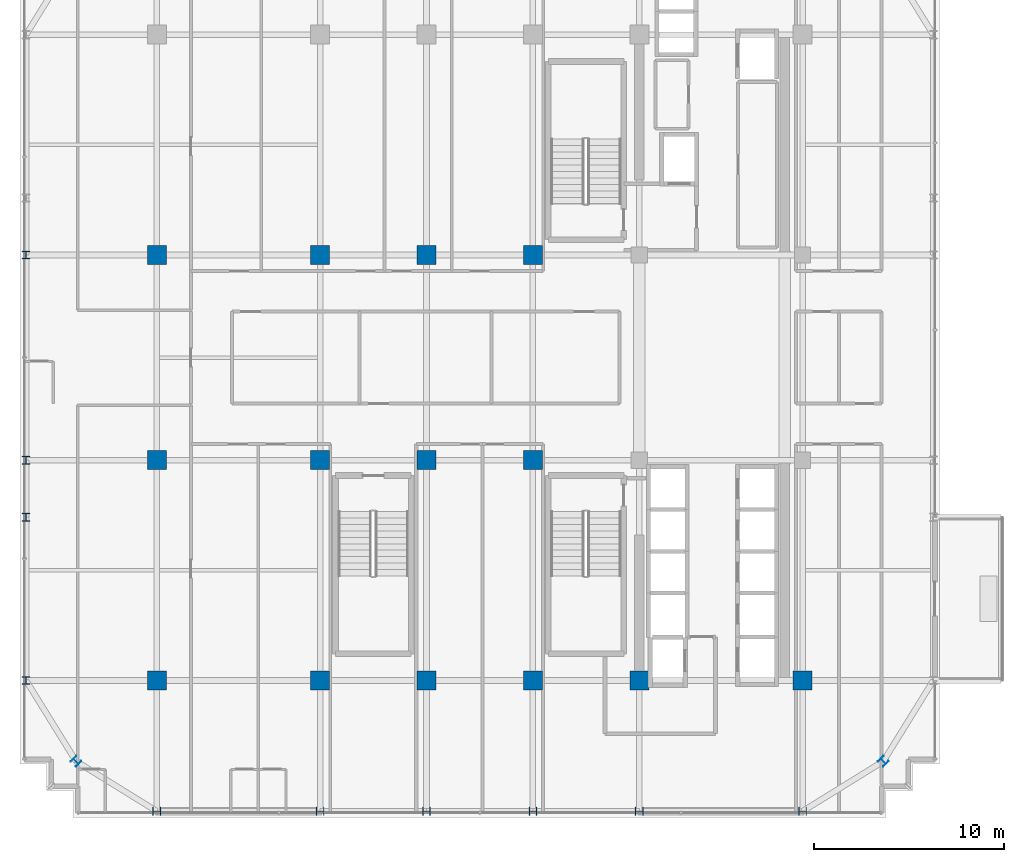
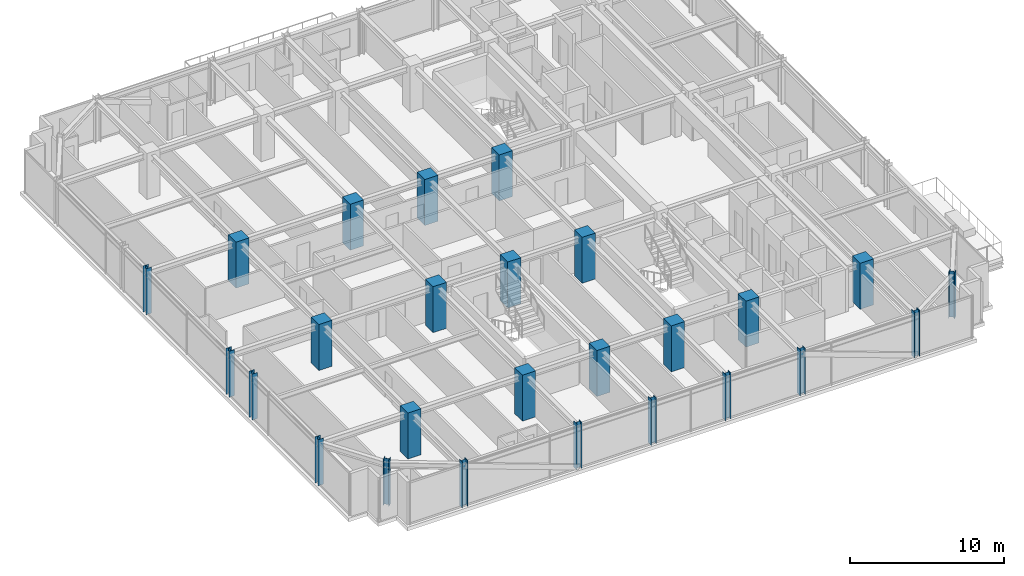
# One storey, part 1 of 43: 26 columns.
"""IFC4 building model written with IfcOpenShell, lengths in metres."""

from ifc_helpers import new_model, si_unit, direction, frame, origin, origin_2d, place, context, subcontext, project, spatial, rectangle, i_section, extrude, source, transform, mapped, material, material_profile, profile_set, type_object, element, save


model = new_model("IFC4")

# Units and contexts
model_context = context("Model", 3, precision=1e-05, world=origin(), true_north=direction((0.0, 1.0)))
body_context = subcontext(model_context, "Body", "Model", "MODEL_VIEW")
ifc_project = project(units=[si_unit("LENGTHUNIT", "METRE"), si_unit("AREAUNIT", "SQUARE_METRE"), si_unit("VOLUMEUNIT", "CUBIC_METRE"), si_unit("PLANEANGLEUNIT", "RADIAN"), si_unit("MASSUNIT", "GRAM", prefix="KILO")], contexts=[model_context])

# Site, building, storey
site_placement = place(None, origin())
site = spatial("IfcSite", under=ifc_project, at=site_placement, CompositionType="ELEMENT")
building_placement = place(site_placement, origin())
building = spatial("IfcBuilding", under=site, at=building_placement, Name="Nahalor Promenade Grand Hotel", CompositionType="ELEMENT")
storey_placement = place(building_placement, frame((0.0, 0.0, 204.89990234375)))
storey = spatial("IfcBuildingStorey", under=building, at=storey_placement, Name="L52", CompositionType="ELEMENT", Elevation=204.89990234375)

# Columns
ifc_material_1 = material(Name="Concrete B-60 (C50/60)", Category="concrete")
ifc_material_profile_1 = material_profile(ifc_material_1, rectangle(XDim=1.0, YDim=1.0, at=origin_2d()), Name="RC 1000x1000")
ifc_profile_set_1 = profile_set([ifc_material_profile_1], Name="Concrete B-60 (C50/60)")
column_type_1 = type_object("IfcColumnType", Name="Col-RC-1000", PredefinedType="COLUMN", material=ifc_profile_set_1)
shared_shape_1 = source(origin(), body_context, "Body", "SweptSolid", [
    extrude(rectangle(XDim=1.0, YDim=1.0, at=origin_2d()), origin(), (0.0, 0.0, 1.0), 3.655029296875),
])
for number, where, z_axis, x_axis, name in (
    (1, (-17.0, -17.0, 0.0), (0.0, 0.0, 1.0), (1.0, 0.0, 0.0), "COL-L52-I00"),
    (2, (-17.0, -5.39990234375, 0.0), (0.0, 0.0, 1.0), (1.0, 0.0, 0.0), "COL-L52-I01"),
    (3, (-17.0, 5.39990234375, 0.0), (0.0, 0.0, 1.0), (1.0, 0.0, 0.0), "COL-L52-I02"),
    (4, (-8.39990234375, -17.0, 0.0), (0.0, 0.0, 1.0), (1.0, 0.0, 0.0), "COL-L52-I10"),
    (5, (-8.39990234375, -5.39990234375, 0.0), (0.0, 0.0, 1.0), (1.0, 0.0, 0.0), "COL-L52-I11"),
    (6, (-8.39990234375, 5.39990234375, 0.0), (0.0, 0.0, 1.0), (1.0, 0.0, 0.0), "COL-L52-I12"),
    (7, (-2.800048828125, -17.0, 0.0), (0.0, 0.0, 1.0), (1.0, 0.0, 0.0), "COL-L52-I20"),
    (8, (-2.800048828125, -5.39990234375, 0.0), (0.0, 0.0, 1.0), (1.0, 0.0, 0.0), "COL-L52-I21"),
    (9, (-2.800048828125, 5.39990234375, 0.0), (0.0, 0.0, 1.0), (1.0, 0.0, 0.0), "COL-L52-I22"),
    (10, (2.800048828125, -17.0, 0.0), (0.0, 0.0, 1.0), (1.0, 0.0, 0.0), "COL-L52-I30"),
    (11, (2.800048828125, -5.39990234375, 0.0), (0.0, 0.0, 1.0), (1.0, 0.0, 0.0), "COL-L52-I31"),
    (12, (2.800048828125, 5.39990234375, 0.0), (0.0, 0.0, 1.0), (1.0, 0.0, 0.0), "COL-L52-I32"),
    (13, (8.39990234375, -17.0, 0.0), (0.0, 0.0, 1.0), (1.0, 0.0, 0.0), "COL-L52-I40"),
    (14, (17.0, -17.0, 0.0), (0.0, 0.0, 1.0), (1.0, 0.0, 0.0), "COL-L52-I50"),
):
    element("IfcColumn", number, at=place(storey_placement, frame(where, z_axis=z_axis, x_axis=x_axis)), inside=storey, type_object=column_type_1, Name=name, PredefinedType="COLUMN", context=body_context, shape_type="MappedRepresentation", body=[
        mapped(shared_shape_1, transform((0.0, 0.0, 0.0), scale=1.0)),
    ])
ifc_material_2 = material(Name="Steel S355JR", Category="steel")
ifc_material_profile_2 = material_profile(ifc_material_2, i_section(OverallWidth=0.401, OverallDepth=0.406, WebThickness=0.0161, FlangeThickness=0.025, at=origin_2d()), Name="HD 400x314")
ifc_profile_set_2 = profile_set([ifc_material_profile_2], Name="Steel S355JR")
column_type_2 = type_object("IfcColumnType", Name="Col-Steel-HD314", PredefinedType="COLUMN", material=ifc_profile_set_2)
shared_shape_2 = source(origin(), body_context, "Body", "SweptSolid", [
    extrude(i_section(OverallWidth=0.401, OverallDepth=0.406, WebThickness=0.0161, FlangeThickness=0.025, at=origin_2d()), origin(), (0.0, 0.0, 1.0), 3.655029296875),
])
for number, where, z_axis, x_axis, name in (
    (15, (-23.8798828125, -17.0, 0.0), (0.0, 0.0, 1.0), (1.0, 0.0, 0.0), "COL-L52-PW-W0"),
    (16, (-23.8798828125, -8.39990234375, 0.0), (0.0, 0.0, 1.0), (1.0, 0.0, 0.0), "COL-L52-PW-W1"),
    (17, (-23.8798828125, -5.39990234375, 0.0), (0.0, 0.0, 1.0), (1.0, 0.0, 0.0), "COL-L52-PW-W2"),
    (18, (-23.8798828125, 5.39990234375, 0.0), (0.0, 0.0, 1.0), (1.0, 0.0, 0.0), "COL-L52-PW-W3"),
    (19, (-17.0, -23.8798828125, 0.0), (0.0, 0.0, 1.0), (0.0, 1.0, 0.0), "COL-L52-PN-S0"),
    (20, (-8.39990234375, -23.8798828125, 0.0), (0.0, 0.0, 1.0), (0.0, 1.0, 0.0), "COL-L52-PN-S1"),
    (21, (-2.800048828125, -23.8798828125, 0.0), (0.0, 0.0, 1.0), (0.0, 1.0, 0.0), "COL-L52-PN-S2"),
    (22, (2.800048828125, -23.8798828125, 0.0), (0.0, 0.0, 1.0), (0.0, 1.0, 0.0), "COL-L52-PN-S3"),
    (23, (8.39990234375, -23.8798828125, 0.0), (0.0, 0.0, 1.0), (0.0, 1.0, 0.0), "COL-L52-PN-S4"),
    (24, (17.0, -23.8798828125, 0.0), (0.0, 0.0, 1.0), (0.0, 1.0, 0.0), "COL-L52-PN-S5"),
    (25, (-21.25, -21.25, 0.0), (0.0, 0.0, 1.0), (0.707106781187, 0.707106781187, 0.0), "COL-L52-CRN-SW"),
    (26, (21.25, -21.25, 0.0), (0.0, 0.0, 1.0), (0.707106781187, 0.707106781187, 0.0), "COL-L52-CRN-SE"),
):
    element("IfcColumn", number, at=place(storey_placement, frame(where, z_axis=z_axis, x_axis=x_axis)), inside=storey, type_object=column_type_2, Name=name, PredefinedType="COLUMN", context=body_context, shape_type="MappedRepresentation", body=[
        mapped(shared_shape_2, transform((0.0, 0.0, 0.0), scale=1.0)),
    ])

save(model, "model.ifc")
